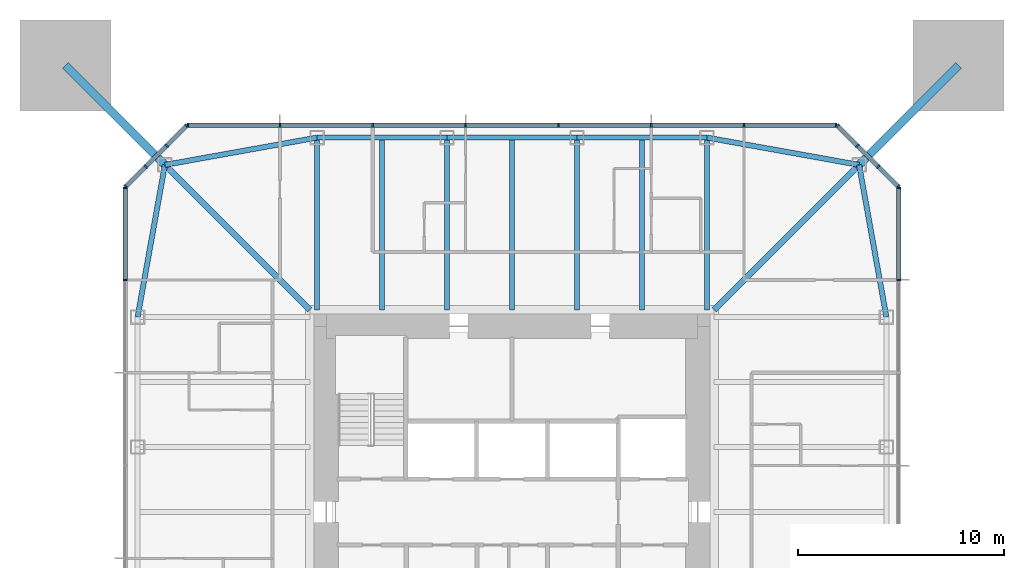
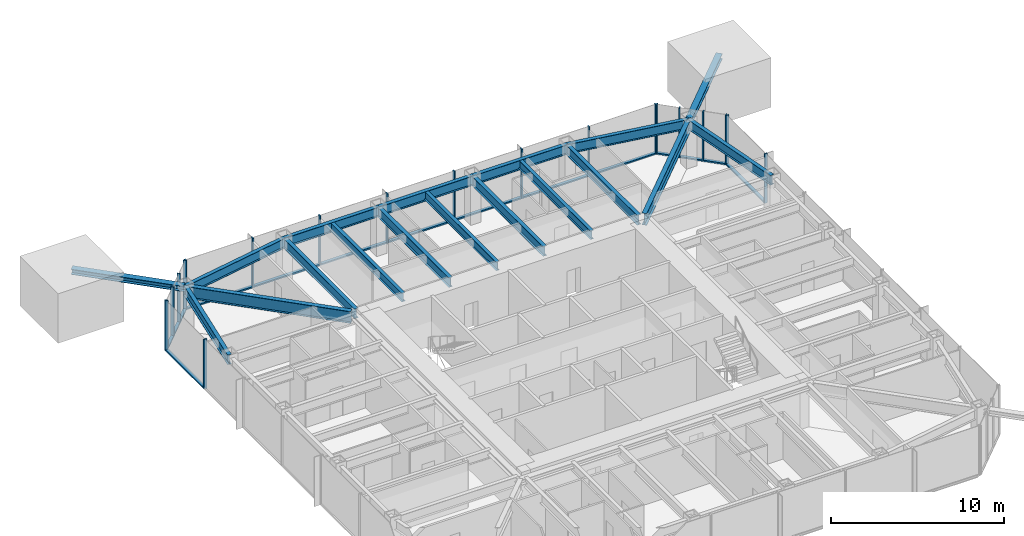
# One storey, part 4 of 11: 37 members, 16 beams, 5 elements without a shape of their own.
"""IFC4 building model written with IfcOpenShell, lengths in metres."""

from ifc_helpers import new_model, si_unit, direction, frame, origin, origin_2d, place, context, subcontext, project, spatial, rectangle, i_section, extrude, material, material_profile, profile_set, type_object, element, aggregate, save


model = new_model("IFC4")

# Units and contexts
model_context = context("Model", 3, precision=1e-05, world=origin(), true_north=direction((0.0, 1.0)))
body_context = subcontext(model_context, "Body", "Model", "MODEL_VIEW")
ifc_project = project(units=[si_unit("LENGTHUNIT", "METRE"), si_unit("AREAUNIT", "SQUARE_METRE"), si_unit("VOLUMEUNIT", "CUBIC_METRE"), si_unit("PLANEANGLEUNIT", "RADIAN"), si_unit("MASSUNIT", "GRAM", prefix="KILO")], contexts=[model_context])

# Site, building, storey
site_placement = place(None, origin())
site = spatial("IfcSite", under=ifc_project, at=site_placement, CompositionType="ELEMENT")
building_placement = place(site_placement, origin())
building = spatial("IfcBuilding", under=site, at=building_placement, Name="Iwan Alto Co-Living Towers", CompositionType="ELEMENT")
storey_placement = place(building_placement, frame((0.0, 0.0, 174.0)))
storey = spatial("IfcBuildingStorey", under=building, at=storey_placement, Name="L47", CompositionType="ELEMENT", Elevation=174.0)

# Curtain wall, members
ifc_material_1 = material(Name="Bronze aluminium unitised frame", Category="aluminium")
curtain_wall_type_1 = type_object("IfcCurtainWallType", Name="CURTAIN WALL CW-A", PredefinedType="NOTDEFINED", material=ifc_material_1)
curtain_wall_1_placement = place(storey_placement, origin())
curtain_wall_1 = element("IfcCurtainWall", 1, at=curtain_wall_1_placement, inside=storey, type_object=curtain_wall_type_1, Name="T1 curtain wall E L47", PredefinedType="NOTDEFINED")
ifc_material_2 = material(Name="Aluminium 6063-T6 bronze anodised", Category="aluminium")
ifc_material_profile_1 = material_profile(ifc_material_2, rectangle(XDim=0.199951171875, YDim=0.080078125, at=origin_2d()), Name="AL 80X200")
ifc_profile_set_1 = profile_set([ifc_material_profile_1], Name="Aluminium 6063-T6 bronze anodised")
member_type_1 = type_object("IfcMemberType", Name="CW-A MULLION 80X200", PredefinedType="MULLION", material=ifc_profile_set_1)
member_1_placement = place(storey_placement, frame((18.75, 11.25, 0.0), z_axis=(0.0, 0.0, 1.0), x_axis=(-1.0, 0.0, 0.0)))
member_1 = element("IfcMember", 2, at=member_1_placement, type_object=member_type_1, Name="CW-A mullion 7", PredefinedType="MULLION", context=body_context, shape_type="SweptSolid", body=[
    extrude(rectangle(XDim=0.199951171875, YDim=0.080078125, at=origin_2d()), origin(), (0.0, 0.0, 1.0), 3.5),
])
member_2_placement = place(storey_placement, frame((18.75, 15.7099609375, 0.0), z_axis=(0.0, 0.0, 1.0), x_axis=(-1.0, 0.0, 0.0)))
member_2 = element("IfcMember", 3, at=member_2_placement, type_object=member_type_1, Name="CW-A mullion 8", PredefinedType="MULLION", context=body_context, shape_type="SweptSolid", body=[
    extrude(rectangle(XDim=0.199951171875, YDim=0.080078125, at=origin_2d()), origin(), (0.0, 0.0, 1.0), 3.5),
])

curtain_wall_2_placement = place(storey_placement, origin())
curtain_wall_2 = element("IfcCurtainWall", 4, at=curtain_wall_2_placement, inside=storey, type_object=curtain_wall_type_1, Name="T1 curtain wall N L47", PredefinedType="NOTDEFINED")
member_3_placement = place(storey_placement, frame((15.7099609375, 18.75, 0.0), z_axis=(0.0, 0.0, 1.0), x_axis=(0.0, -1.0, 0.0)))
member_3 = element("IfcMember", 5, at=member_3_placement, type_object=member_type_1, Name="CW-A mullion 1", PredefinedType="MULLION", context=body_context, shape_type="SweptSolid", body=[
    extrude(rectangle(XDim=0.199951171875, YDim=0.080078125, at=origin_2d()), origin(), (0.0, 0.0, 1.0), 3.5),
])
member_4_placement = place(storey_placement, frame((11.25, 18.75, 0.0), z_axis=(0.0, 0.0, 1.0), x_axis=(0.0, -1.0, 0.0)))
member_4 = element("IfcMember", 6, at=member_4_placement, type_object=member_type_1, Name="CW-A mullion 2", PredefinedType="MULLION", context=body_context, shape_type="SweptSolid", body=[
    extrude(rectangle(XDim=0.199951171875, YDim=0.080078125, at=origin_2d()), origin(), (0.0, 0.0, 1.0), 3.5),
])
member_5_placement = place(storey_placement, frame((6.75, 18.75, 0.0), z_axis=(0.0, 0.0, 1.0), x_axis=(0.0, -1.0, 0.0)))
member_5 = element("IfcMember", 7, at=member_5_placement, type_object=member_type_1, Name="CW-A mullion 3", PredefinedType="MULLION", context=body_context, shape_type="SweptSolid", body=[
    extrude(rectangle(XDim=0.199951171875, YDim=0.080078125, at=origin_2d()), origin(), (0.0, 0.0, 1.0), 3.5),
])
member_6_placement = place(storey_placement, frame((2.25, 18.75, 0.0), z_axis=(0.0, 0.0, 1.0), x_axis=(0.0, -1.0, 0.0)))
member_6 = element("IfcMember", 8, at=member_6_placement, type_object=member_type_1, Name="CW-A mullion 4", PredefinedType="MULLION", context=body_context, shape_type="SweptSolid", body=[
    extrude(rectangle(XDim=0.199951171875, YDim=0.080078125, at=origin_2d()), origin(), (0.0, 0.0, 1.0), 3.5),
])
member_7_placement = place(storey_placement, frame((-2.25, 18.75, 0.0), z_axis=(0.0, 0.0, 1.0), x_axis=(0.0, -1.0, 0.0)))
member_7 = element("IfcMember", 9, at=member_7_placement, type_object=member_type_1, Name="CW-A mullion 5", PredefinedType="MULLION", context=body_context, shape_type="SweptSolid", body=[
    extrude(rectangle(XDim=0.199951171875, YDim=0.080078125, at=origin_2d()), origin(), (0.0, 0.0, 1.0), 3.5),
])
member_8_placement = place(storey_placement, frame((-6.75, 18.75, 0.0), z_axis=(0.0, 0.0, 1.0), x_axis=(0.0, -1.0, 0.0)))
member_8 = element("IfcMember", 10, at=member_8_placement, type_object=member_type_1, Name="CW-A mullion 6", PredefinedType="MULLION", context=body_context, shape_type="SweptSolid", body=[
    extrude(rectangle(XDim=0.199951171875, YDim=0.080078125, at=origin_2d()), origin(), (0.0, 0.0, 1.0), 3.5),
])
member_9_placement = place(storey_placement, frame((-11.25, 18.75, 0.0), z_axis=(0.0, 0.0, 1.0), x_axis=(0.0, -1.0, 0.0)))
member_9 = element("IfcMember", 11, at=member_9_placement, type_object=member_type_1, Name="CW-A mullion 7", PredefinedType="MULLION", context=body_context, shape_type="SweptSolid", body=[
    extrude(rectangle(XDim=0.199951171875, YDim=0.080078125, at=origin_2d()), origin(), (0.0, 0.0, 1.0), 3.5),
])
member_10_placement = place(storey_placement, frame((-15.7099609375, 18.75, 0.0), z_axis=(0.0, 0.0, 1.0), x_axis=(0.0, -1.0, 0.0)))
member_10 = element("IfcMember", 12, at=member_10_placement, type_object=member_type_1, Name="CW-A mullion 8", PredefinedType="MULLION", context=body_context, shape_type="SweptSolid", body=[
    extrude(rectangle(XDim=0.199951171875, YDim=0.080078125, at=origin_2d()), origin(), (0.0, 0.0, 1.0), 3.5),
])

curtain_wall_3_placement = place(storey_placement, origin())
curtain_wall_3 = element("IfcCurtainWall", 13, at=curtain_wall_3_placement, inside=storey, type_object=curtain_wall_type_1, Name="T1 curtain wall W L47", PredefinedType="NOTDEFINED")
member_11_placement = place(storey_placement, frame((-18.75, 15.7099609375, 0.0), z_axis=(0.0, 0.0, 1.0), x_axis=(1.0, 0.0, 0.0)))
member_11 = element("IfcMember", 14, at=member_11_placement, type_object=member_type_1, Name="CW-A mullion 1", PredefinedType="MULLION", context=body_context, shape_type="SweptSolid", body=[
    extrude(rectangle(XDim=0.199951171875, YDim=0.080078125, at=origin_2d()), origin(), (0.0, 0.0, 1.0), 3.5),
])
member_12_placement = place(storey_placement, frame((-18.75, 11.25, 0.0), z_axis=(0.0, 0.0, 1.0), x_axis=(1.0, 0.0, 0.0)))
member_12 = element("IfcMember", 15, at=member_12_placement, type_object=member_type_1, Name="CW-A mullion 2", PredefinedType="MULLION", context=body_context, shape_type="SweptSolid", body=[
    extrude(rectangle(XDim=0.199951171875, YDim=0.080078125, at=origin_2d()), origin(), (0.0, 0.0, 1.0), 3.5),
])

# Member
ifc_material_3 = material(Name="Aluminium 6063-T6 bronze anodised", Category="aluminium")
ifc_material_profile_2 = material_profile(ifc_material_3, rectangle(XDim=0.199951171875, YDim=0.10009765625, at=origin_2d()), Name="AL 200X100")
ifc_profile_set_2 = profile_set([ifc_material_profile_2], Name="Aluminium 6063-T6 bronze anodised")
member_type_2 = type_object("IfcMemberType", Name="CW-A TRANSOM 200X100", PredefinedType="USERDEFINED", material=ifc_profile_set_2)
member_13_placement = place(storey_placement, frame((18.75, 11.2900390625, 0.050048828125), z_axis=(0.0, 1.0, 0.0), x_axis=(-1.0, 0.0, 0.0)))
member_13 = element("IfcMember", 16, at=member_13_placement, type_object=member_type_2, Name="CW-A transom 7.1", ObjectType="TRANSOM", PredefinedType="USERDEFINED", context=body_context, shape_type="SweptSolid", body=[
    extrude(rectangle(XDim=0.199951171875, YDim=0.10009765625, at=origin_2d()), origin(), (0.0, 0.0, 1.0), 4.3798828125),
])

aggregate(curtain_wall_1, [member_1, member_2, member_13])

member_14_placement = place(storey_placement, frame((15.669921875, 18.75, 0.050048828125), z_axis=(-1.0, 0.0, 0.0), x_axis=(0.0, -1.0, 0.0)))
member_14 = element("IfcMember", 17, at=member_14_placement, type_object=member_type_2, Name="CW-A transom 1.1", ObjectType="TRANSOM", PredefinedType="USERDEFINED", context=body_context, shape_type="SweptSolid", body=[
    extrude(rectangle(XDim=0.199951171875, YDim=0.10009765625, at=origin_2d()), origin(), (0.0, 0.0, 1.0), 4.3798828125),
])

member_15_placement = place(storey_placement, frame((11.2099609375, 18.75, 0.050048828125), z_axis=(-1.0, 0.0, 0.0), x_axis=(0.0, -1.0, 0.0)))
member_15 = element("IfcMember", 18, at=member_15_placement, type_object=member_type_2, Name="CW-A transom 2.1", ObjectType="TRANSOM", PredefinedType="USERDEFINED", context=body_context, shape_type="SweptSolid", body=[
    extrude(rectangle(XDim=0.199951171875, YDim=0.10009765625, at=origin_2d()), origin(), (0.0, 0.0, 1.0), 4.419921875),
])

member_16_placement = place(storey_placement, frame((6.7099609375, 18.75, 0.050048828125), z_axis=(-1.0, 0.0, 0.0), x_axis=(0.0, -1.0, 0.0)))
member_16 = element("IfcMember", 19, at=member_16_placement, type_object=member_type_2, Name="CW-A transom 3.1", ObjectType="TRANSOM", PredefinedType="USERDEFINED", context=body_context, shape_type="SweptSolid", body=[
    extrude(rectangle(XDim=0.199951171875, YDim=0.10009765625, at=origin_2d()), origin(), (0.0, 0.0, 1.0), 4.419921875),
])

member_17_placement = place(storey_placement, frame((2.2099609375, 18.75, 0.050048828125), z_axis=(-1.0, 0.0, 0.0), x_axis=(0.0, -1.0, 0.0)))
member_17 = element("IfcMember", 20, at=member_17_placement, type_object=member_type_2, Name="CW-A transom 4.1", ObjectType="TRANSOM", PredefinedType="USERDEFINED", context=body_context, shape_type="SweptSolid", body=[
    extrude(rectangle(XDim=0.199951171875, YDim=0.10009765625, at=origin_2d()), origin(), (0.0, 0.0, 1.0), 4.419921875),
])

member_18_placement = place(storey_placement, frame((-2.2900390625, 18.75, 0.050048828125), z_axis=(-1.0, 0.0, 0.0), x_axis=(0.0, -1.0, 0.0)))
member_18 = element("IfcMember", 21, at=member_18_placement, type_object=member_type_2, Name="CW-A transom 5.1", ObjectType="TRANSOM", PredefinedType="USERDEFINED", context=body_context, shape_type="SweptSolid", body=[
    extrude(rectangle(XDim=0.199951171875, YDim=0.10009765625, at=origin_2d()), origin(), (0.0, 0.0, 1.0), 4.419921875),
])

member_19_placement = place(storey_placement, frame((-6.7900390625, 18.75, 0.050048828125), z_axis=(-1.0, 0.0, 0.0), x_axis=(0.0, -1.0, 0.0)))
member_19 = element("IfcMember", 22, at=member_19_placement, type_object=member_type_2, Name="CW-A transom 6.1", ObjectType="TRANSOM", PredefinedType="USERDEFINED", context=body_context, shape_type="SweptSolid", body=[
    extrude(rectangle(XDim=0.199951171875, YDim=0.10009765625, at=origin_2d()), origin(), (0.0, 0.0, 1.0), 4.419921875),
])

member_20_placement = place(storey_placement, frame((-11.2900390625, 18.75, 0.050048828125), z_axis=(-1.0, 0.0, 0.0), x_axis=(0.0, -1.0, 0.0)))
member_20 = element("IfcMember", 23, at=member_20_placement, type_object=member_type_2, Name="CW-A transom 7.1", ObjectType="TRANSOM", PredefinedType="USERDEFINED", context=body_context, shape_type="SweptSolid", body=[
    extrude(rectangle(XDim=0.199951171875, YDim=0.10009765625, at=origin_2d()), origin(), (0.0, 0.0, 1.0), 4.3798828125),
])

aggregate(curtain_wall_2, [member_3, member_4, member_5, member_6, member_7, member_8, member_9, member_10, member_14, member_15, member_16, member_17, member_18, member_19, member_20])

member_21_placement = place(storey_placement, frame((-18.75, 15.669921875, 0.050048828125), z_axis=(0.0, -1.0, 0.0), x_axis=(1.0, 0.0, 0.0)))
member_21 = element("IfcMember", 24, at=member_21_placement, type_object=member_type_2, Name="CW-A transom 1.1", ObjectType="TRANSOM", PredefinedType="USERDEFINED", context=body_context, shape_type="SweptSolid", body=[
    extrude(rectangle(XDim=0.199951171875, YDim=0.10009765625, at=origin_2d()), origin(), (0.0, 0.0, 1.0), 4.3798828125),
])

aggregate(curtain_wall_3, [member_11, member_12, member_21])

# Curtain wall, members
ifc_material_4 = material(Name="Bronze aluminium unitised frame", Category="aluminium")
curtain_wall_type_2 = type_object("IfcCurtainWallType", Name="CURTAIN WALL CW-B", PredefinedType="NOTDEFINED", material=ifc_material_4)
curtain_wall_4_placement = place(storey_placement, origin())
curtain_wall_4 = element("IfcCurtainWall", 25, at=curtain_wall_4_placement, inside=storey, type_object=curtain_wall_type_2, Name="T1 chamfer curtain wall NE L47", PredefinedType="NOTDEFINED")
ifc_material_5 = material(Name="Aluminium 6063-T6 bronze anodised", Category="aluminium")
ifc_material_profile_3 = material_profile(ifc_material_5, rectangle(XDim=0.199951171875, YDim=0.080078125, at=origin_2d()), Name="AL 80X200")
ifc_profile_set_3 = profile_set([ifc_material_profile_3], Name="Aluminium 6063-T6 bronze anodised")
member_type_3 = type_object("IfcMemberType", Name="CW-B MULLION 80X200", PredefinedType="MULLION", material=ifc_profile_set_3)
member_22_placement = place(storey_placement, frame((18.7216796875, 15.7783203125, 0.0), z_axis=(0.0, 0.0, 1.0), x_axis=(-0.707106781187, -0.707106781187, 0.0)))
member_22 = element("IfcMember", 26, at=member_22_placement, type_object=member_type_3, Name="CW-B mullion 1", PredefinedType="MULLION", context=body_context, shape_type="SweptSolid", body=[
    extrude(rectangle(XDim=0.199951171875, YDim=0.080078125, at=origin_2d()), origin(), (0.0, 0.0, 1.0), 3.5),
])
member_23_placement = place(storey_placement, frame((17.75, 16.75, 0.0), z_axis=(0.0, 0.0, 1.0), x_axis=(-0.707106781187, -0.707106781187, 0.0)))
member_23 = element("IfcMember", 27, at=member_23_placement, type_object=member_type_3, Name="CW-B mullion 2", PredefinedType="MULLION", context=body_context, shape_type="SweptSolid", body=[
    extrude(rectangle(XDim=0.199951171875, YDim=0.080078125, at=origin_2d()), origin(), (0.0, 0.0, 1.0), 3.5),
])
member_24_placement = place(storey_placement, frame((16.75, 17.75, 0.0), z_axis=(0.0, 0.0, 1.0), x_axis=(-0.707106781187, -0.707106781187, 0.0)))
member_24 = element("IfcMember", 28, at=member_24_placement, type_object=member_type_3, Name="CW-B mullion 3", PredefinedType="MULLION", context=body_context, shape_type="SweptSolid", body=[
    extrude(rectangle(XDim=0.199951171875, YDim=0.080078125, at=origin_2d()), origin(), (0.0, 0.0, 1.0), 3.5),
])
member_25_placement = place(storey_placement, frame((15.7783203125, 18.7216796875, 0.0), z_axis=(0.0, 0.0, 1.0), x_axis=(-0.707106781187, -0.707106781187, 0.0)))
member_25 = element("IfcMember", 29, at=member_25_placement, type_object=member_type_3, Name="CW-B mullion 4", PredefinedType="MULLION", context=body_context, shape_type="SweptSolid", body=[
    extrude(rectangle(XDim=0.199951171875, YDim=0.080078125, at=origin_2d()), origin(), (0.0, 0.0, 1.0), 3.5),
])

curtain_wall_5_placement = place(storey_placement, origin())
curtain_wall_5 = element("IfcCurtainWall", 30, at=curtain_wall_5_placement, inside=storey, type_object=curtain_wall_type_2, Name="T1 chamfer curtain wall NW L47", PredefinedType="NOTDEFINED")
member_26_placement = place(storey_placement, frame((-15.7783203125, 18.7216796875, 0.0), z_axis=(0.0, 0.0, 1.0), x_axis=(0.707106781187, -0.707106781187, 0.0)))
member_26 = element("IfcMember", 31, at=member_26_placement, type_object=member_type_3, Name="CW-B mullion 1", PredefinedType="MULLION", context=body_context, shape_type="SweptSolid", body=[
    extrude(rectangle(XDim=0.199951171875, YDim=0.080078125, at=origin_2d()), origin(), (0.0, 0.0, 1.0), 3.5),
])
member_27_placement = place(storey_placement, frame((-16.75, 17.75, 0.0), z_axis=(0.0, 0.0, 1.0), x_axis=(0.707106781187, -0.707106781187, 0.0)))
member_27 = element("IfcMember", 32, at=member_27_placement, type_object=member_type_3, Name="CW-B mullion 2", PredefinedType="MULLION", context=body_context, shape_type="SweptSolid", body=[
    extrude(rectangle(XDim=0.199951171875, YDim=0.080078125, at=origin_2d()), origin(), (0.0, 0.0, 1.0), 3.5),
])
member_28_placement = place(storey_placement, frame((-17.75, 16.75, 0.0), z_axis=(0.0, 0.0, 1.0), x_axis=(0.707106781187, -0.707106781187, 0.0)))
member_28 = element("IfcMember", 33, at=member_28_placement, type_object=member_type_3, Name="CW-B mullion 3", PredefinedType="MULLION", context=body_context, shape_type="SweptSolid", body=[
    extrude(rectangle(XDim=0.199951171875, YDim=0.080078125, at=origin_2d()), origin(), (0.0, 0.0, 1.0), 3.5),
])
member_29_placement = place(storey_placement, frame((-18.7216796875, 15.7783203125, 0.0), z_axis=(0.0, 0.0, 1.0), x_axis=(0.707106781187, -0.707106781187, 0.0)))
member_29 = element("IfcMember", 34, at=member_29_placement, type_object=member_type_3, Name="CW-B mullion 4", PredefinedType="MULLION", context=body_context, shape_type="SweptSolid", body=[
    extrude(rectangle(XDim=0.199951171875, YDim=0.080078125, at=origin_2d()), origin(), (0.0, 0.0, 1.0), 3.5),
])

# Member
ifc_material_6 = material(Name="Aluminium 6063-T6 bronze anodised", Category="aluminium")
ifc_material_profile_4 = material_profile(ifc_material_6, rectangle(XDim=0.199951171875, YDim=0.10009765625, at=origin_2d()), Name="AL 200X100")
ifc_profile_set_4 = profile_set([ifc_material_profile_4], Name="Aluminium 6063-T6 bronze anodised")
member_type_4 = type_object("IfcMemberType", Name="CW-B TRANSOM 200X100", PredefinedType="USERDEFINED", material=ifc_profile_set_4)
member_30_placement = place(storey_placement, frame((18.693359375, 15.806640625, 0.050048828125), z_axis=(-0.707106781187, 0.707106781187, 0.0), x_axis=(-0.707106781187, -0.707106781187, 0.0)))
member_30 = element("IfcMember", 35, at=member_30_placement, type_object=member_type_4, Name="CW-B transom 1.1", ObjectType="TRANSOM", PredefinedType="USERDEFINED", context=body_context, shape_type="SweptSolid", body=[
    extrude(rectangle(XDim=0.199951171875, YDim=0.10009765625, at=origin_2d()), origin(), (0.0, 0.0, 1.0), 1.2939453125),
])

member_31_placement = place(storey_placement, frame((17.7216796875, 16.7783203125, 0.050048828125), z_axis=(-0.707106781187, 0.707106781187, 0.0), x_axis=(-0.707106781187, -0.707106781187, 0.0)))
member_31 = element("IfcMember", 36, at=member_31_placement, type_object=member_type_4, Name="CW-B transom 2.1", ObjectType="TRANSOM", PredefinedType="USERDEFINED", context=body_context, shape_type="SweptSolid", body=[
    extrude(rectangle(XDim=0.199951171875, YDim=0.10009765625, at=origin_2d()), origin(), (0.0, 0.0, 1.0), 1.334228515625),
])

member_32_placement = place(storey_placement, frame((16.7216796875, 17.7783203125, 0.050048828125), z_axis=(-0.707106781187, 0.707106781187, 0.0), x_axis=(-0.707106781187, -0.707106781187, 0.0)))
member_32 = element("IfcMember", 37, at=member_32_placement, type_object=member_type_4, Name="CW-B transom 3.1", ObjectType="TRANSOM", PredefinedType="USERDEFINED", context=body_context, shape_type="SweptSolid", body=[
    extrude(rectangle(XDim=0.199951171875, YDim=0.10009765625, at=origin_2d()), origin(), (0.0, 0.0, 1.0), 1.2939453125),
])

aggregate(curtain_wall_4, [member_22, member_23, member_24, member_25, member_30, member_31, member_32])

member_33_placement = place(storey_placement, frame((-15.806640625, 18.693359375, 0.050048828125), z_axis=(-0.707106781187, -0.707106781187, 0.0), x_axis=(0.707106781187, -0.707106781187, 0.0)))
member_33 = element("IfcMember", 38, at=member_33_placement, type_object=member_type_4, Name="CW-B transom 1.1", ObjectType="TRANSOM", PredefinedType="USERDEFINED", context=body_context, shape_type="SweptSolid", body=[
    extrude(rectangle(XDim=0.199951171875, YDim=0.10009765625, at=origin_2d()), origin(), (0.0, 0.0, 1.0), 1.2939453125),
])

member_34_placement = place(storey_placement, frame((-16.7783203125, 17.7216796875, 0.050048828125), z_axis=(-0.707106781187, -0.707106781187, 0.0), x_axis=(0.707106781187, -0.707106781187, 0.0)))
member_34 = element("IfcMember", 39, at=member_34_placement, type_object=member_type_4, Name="CW-B transom 2.1", ObjectType="TRANSOM", PredefinedType="USERDEFINED", context=body_context, shape_type="SweptSolid", body=[
    extrude(rectangle(XDim=0.199951171875, YDim=0.10009765625, at=origin_2d()), origin(), (0.0, 0.0, 1.0), 1.334228515625),
])

member_35_placement = place(storey_placement, frame((-17.7783203125, 16.7216796875, 0.050048828125), z_axis=(-0.707106781187, -0.707106781187, 0.0), x_axis=(0.707106781187, -0.707106781187, 0.0)))
member_35 = element("IfcMember", 40, at=member_35_placement, type_object=member_type_4, Name="CW-B transom 3.1", ObjectType="TRANSOM", PredefinedType="USERDEFINED", context=body_context, shape_type="SweptSolid", body=[
    extrude(rectangle(XDim=0.199951171875, YDim=0.10009765625, at=origin_2d()), origin(), (0.0, 0.0, 1.0), 1.2939453125),
])

aggregate(curtain_wall_5, [member_26, member_27, member_28, member_29, member_33, member_34, member_35])

# Beams
ifc_material_7 = material(Name="Steel ASTM A992 Gr 50", Category="steel")
ifc_material_profile_5 = material_profile(ifc_material_7, i_section(OverallWidth=0.2919921875, OverallDepth=0.8408203125, WebThickness=0.0146484375, FlangeThickness=0.021728515625, at=origin_2d()), Name="W33X130")
ifc_profile_set_5 = profile_set([ifc_material_profile_5], Name="Steel ASTM A992 Gr 50")
beam_type_1 = type_object("IfcBeamType", Name="T1 CORNER GIRDER W33X130", PredefinedType="BEAM", material=ifc_profile_set_5)
for number, where, z_axis, x_axis, name in (
    (41, (16.82568359375, 16.82568359375, 2.849609375), (-0.707106781187, -0.707106781187, 0.0), (0.707106781187, -0.707106781187, 0.0), "T1 corner girder CNE L48"),
    (42, (-16.82568359375, 16.82568359375, 2.849609375), (0.707106781187, -0.707106781187, 0.0), (0.707106781187, 0.707106781187, 0.0), "T1 corner girder CNW L48"),
):
    element("IfcBeam", number, at=place(storey_placement, frame(where, z_axis=z_axis, x_axis=x_axis)), inside=storey, type_object=beam_type_1, Name=name, PredefinedType="BEAM", context=body_context, shape_type="SweptSolid", body=[
        extrude(i_section(OverallWidth=0.2919921875, OverallDepth=0.8408203125, WebThickness=0.0146484375, FlangeThickness=0.021728515625, at=origin_2d()), origin(), (0.0, 0.0, 1.0), 9.936767578125),
    ])
ifc_material_8 = material(Name="Steel ASTM A992 Gr 50", Category="steel")
ifc_material_profile_6 = material_profile(ifc_material_8, i_section(OverallWidth=0.25390625, OverallDepth=0.683349609375, WebThickness=0.012451171875, FlangeThickness=0.018798828125, at=origin_2d()), Name="W27X94")
ifc_profile_set_6 = profile_set([ifc_material_profile_6], Name="Steel ASTM A992 Gr 50")
beam_type_2 = type_object("IfcBeamType", Name="T1 EDGE BEAM W27X94", PredefinedType="BEAM", material=ifc_profile_set_6)
for number, where, z_axis, x_axis, name in (
    (43, (18.14990234375, 9.449951171875, 2.928466796875), (-0.17671181143, 0.98426263553, 0.0), (-0.98426263553, -0.17671181143, 0.0), "T1 edge beam E4 L48"),
    (44, (16.82568359375, 16.82568359375, 2.928466796875), (-0.98426263553, 0.17671181143, 0.0), (-0.17671181143, -0.98426263553, 0.0), "T1 edge beam CNE L48"),
):
    element("IfcBeam", number, at=place(storey_placement, frame(where, z_axis=z_axis, x_axis=x_axis)), inside=storey, type_object=beam_type_2, Name=name, PredefinedType="BEAM", context=body_context, shape_type="SweptSolid", body=[
        extrude(i_section(OverallWidth=0.25390625, OverallDepth=0.683349609375, WebThickness=0.012451171875, FlangeThickness=0.018798828125, at=origin_2d()), origin(), (0.0, 0.0, 1.0), 7.49365234375),
    ])
beam_1_placement = place(storey_placement, frame((9.449951171875, 18.14990234375, 2.928466796875), z_axis=(-1.0, 0.0, 0.0), x_axis=(0.0, -1.0, 0.0)))
element("IfcBeam", 45, at=beam_1_placement, inside=storey, type_object=beam_type_2, Name="T1 edge beam N1 L48", PredefinedType="BEAM", context=body_context, shape_type="SweptSolid", body=[
    extrude(i_section(OverallWidth=0.25390625, OverallDepth=0.683349609375, WebThickness=0.012451171875, FlangeThickness=0.018798828125, at=origin_2d()), origin(), (0.0, 0.0, 1.0), 6.300048828125),
])
beam_2_placement = place(storey_placement, frame((3.14990234375, 18.14990234375, 2.928466796875), z_axis=(-1.0, 0.0, 0.0), x_axis=(0.0, -1.0, 0.0)))
element("IfcBeam", 46, at=beam_2_placement, inside=storey, type_object=beam_type_2, Name="T1 edge beam N2 L48", PredefinedType="BEAM", context=body_context, shape_type="SweptSolid", body=[
    extrude(i_section(OverallWidth=0.25390625, OverallDepth=0.683349609375, WebThickness=0.012451171875, FlangeThickness=0.018798828125, at=origin_2d()), origin(), (0.0, 0.0, 1.0), 6.2998046875),
])
beam_3_placement = place(storey_placement, frame((-3.14990234375, 18.14990234375, 2.928466796875), z_axis=(-1.0, 0.0, 0.0), x_axis=(0.0, -1.0, 0.0)))
element("IfcBeam", 47, at=beam_3_placement, inside=storey, type_object=beam_type_2, Name="T1 edge beam N3 L48", PredefinedType="BEAM", context=body_context, shape_type="SweptSolid", body=[
    extrude(i_section(OverallWidth=0.25390625, OverallDepth=0.683349609375, WebThickness=0.012451171875, FlangeThickness=0.018798828125, at=origin_2d()), origin(), (0.0, 0.0, 1.0), 6.300048828125),
])
for number, where, z_axis, x_axis, name in (
    (48, (-9.449951171875, 18.14990234375, 2.928466796875), (-0.98426263553, -0.17671181143, 0.0), (0.17671181143, -0.98426263553, 0.0), "T1 edge beam N4 L48"),
    (49, (-16.82568359375, 16.82568359375, 2.928466796875), (-0.17671181143, -0.98426263553, 0.0), (0.98426263553, -0.17671181143, 0.0), "T1 edge beam CNW L48"),
):
    element("IfcBeam", number, at=place(storey_placement, frame(where, z_axis=z_axis, x_axis=x_axis)), inside=storey, type_object=beam_type_2, Name=name, PredefinedType="BEAM", context=body_context, shape_type="SweptSolid", body=[
        extrude(i_section(OverallWidth=0.25390625, OverallDepth=0.683349609375, WebThickness=0.012451171875, FlangeThickness=0.018798828125, at=origin_2d()), origin(), (0.0, 0.0, 1.0), 7.49365234375),
    ])

# Members
ifc_material_9 = material(Name="Steel ASTM A992 Gr 50", Category="steel")
ifc_material_profile_7 = material_profile(ifc_material_9, i_section(OverallWidth=0.393798828125, OverallDepth=0.3759765625, WebThickness=0.017333984375, FlangeThickness=0.027587890625, at=origin_2d()), Name="W14X145")
ifc_profile_set_7 = profile_set([ifc_material_profile_7], Name="Steel ASTM A992 Gr 50")
member_type_5 = type_object("IfcMemberType", Name="T1 MEGA COLUMN FLOOR TIE W14X145", PredefinedType="STRUT", material=ifc_profile_set_7)
for number, where, z_axis, x_axis, name in (
    (50, (21.64990234375, 21.64990234375, 3.08203125), (-0.707106781187, -0.707106781187, 0.0), (0.707106781187, -0.707106781187, 0.0), "T1 mega column floor tie NE L48"),
    (51, (-21.64990234375, 21.64990234375, 3.08203125), (0.707106781187, -0.707106781187, 0.0), (0.707106781187, 0.707106781187, 0.0), "T1 mega column floor tie NW L48"),
):
    element("IfcMember", number, at=place(storey_placement, frame(where, z_axis=z_axis, x_axis=x_axis)), inside=storey, type_object=member_type_5, Name=name, PredefinedType="STRUT", context=body_context, shape_type="SweptSolid", body=[
        extrude(i_section(OverallWidth=0.393798828125, OverallDepth=0.3759765625, WebThickness=0.017333984375, FlangeThickness=0.027587890625, at=origin_2d()), origin(), (0.0, 0.0, 1.0), 6.822509765625),
    ])

# Beams
ifc_material_10 = material(Name="Steel ASTM A992 Gr 50", Category="steel")
ifc_material_profile_8 = material_profile(ifc_material_10, i_section(OverallWidth=0.25390625, OverallDepth=0.683349609375, WebThickness=0.012451171875, FlangeThickness=0.018798828125, at=origin_2d()), Name="W27X94")
ifc_profile_set_8 = profile_set([ifc_material_profile_8], Name="Steel ASTM A992 Gr 50")
beam_type_3 = type_object("IfcBeamType", Name="T1 RADIAL BEAM W27X94", PredefinedType="BEAM", material=ifc_profile_set_8)
for number, where, z_axis, x_axis, name in (
    (52, (9.449951171875, 18.14990234375, 2.928466796875), (0.0, -1.0, 0.0), (1.0, 0.0, 0.0), "T1 radial beam N1 L48"),
    (53, (3.14990234375, 18.14990234375, 2.928466796875), (0.0, -1.0, 0.0), (1.0, 0.0, 0.0), "T1 radial beam N2 L48"),
    (54, (-3.14990234375, 18.14990234375, 2.928466796875), (0.0, -1.0, 0.0), (1.0, 0.0, 0.0), "T1 radial beam N3 L48"),
    (55, (-9.449951171875, 18.14990234375, 2.928466796875), (0.0, -1.0, 0.0), (1.0, 0.0, 0.0), "T1 radial beam N4 L48"),
):
    element("IfcBeam", number, at=place(storey_placement, frame(where, z_axis=z_axis, x_axis=x_axis)), inside=storey, type_object=beam_type_3, Name=name, PredefinedType="BEAM", context=body_context, shape_type="SweptSolid", body=[
        extrude(i_section(OverallWidth=0.25390625, OverallDepth=0.683349609375, WebThickness=0.012451171875, FlangeThickness=0.018798828125, at=origin_2d()), origin(), (0.0, 0.0, 1.0), 8.3505859375),
    ])
ifc_material_11 = material(Name="Steel ASTM A992 Gr 50", Category="steel")
ifc_material_profile_9 = material_profile(ifc_material_11, i_section(OverallWidth=0.228271484375, OverallDepth=0.607177734375, WebThickness=0.01123046875, FlangeThickness=0.017333984375, at=origin_2d()), Name="W24X76")
ifc_profile_set_9 = profile_set([ifc_material_profile_9], Name="Steel ASTM A992 Gr 50")
beam_type_4 = type_object("IfcBeamType", Name="T1 SECONDARY BEAM W24X76", PredefinedType="JOIST", material=ifc_profile_set_9)
for number, where, z_axis, x_axis, name in (
    (56, (6.300048828125, 18.14990234375, 2.966552734375), (0.0, -1.0, 0.0), (1.0, 0.0, 0.0), "T1 secondary beam N1 L48"),
    (57, (0.0, 18.14990234375, 2.966552734375), (0.0, -1.0, 0.0), (1.0, 0.0, 0.0), "T1 secondary beam N2 L48"),
    (58, (-6.300048828125, 18.14990234375, 2.966552734375), (0.0, -1.0, 0.0), (1.0, 0.0, 0.0), "T1 secondary beam N3 L48"),
):
    element("IfcBeam", number, at=place(storey_placement, frame(where, z_axis=z_axis, x_axis=x_axis)), inside=storey, type_object=beam_type_4, Name=name, PredefinedType="JOIST", context=body_context, shape_type="SweptSolid", body=[
        extrude(i_section(OverallWidth=0.228271484375, OverallDepth=0.607177734375, WebThickness=0.01123046875, FlangeThickness=0.017333984375, at=origin_2d()), origin(), (0.0, 0.0, 1.0), 8.3505859375),
    ])

save(model, "model.ifc")
